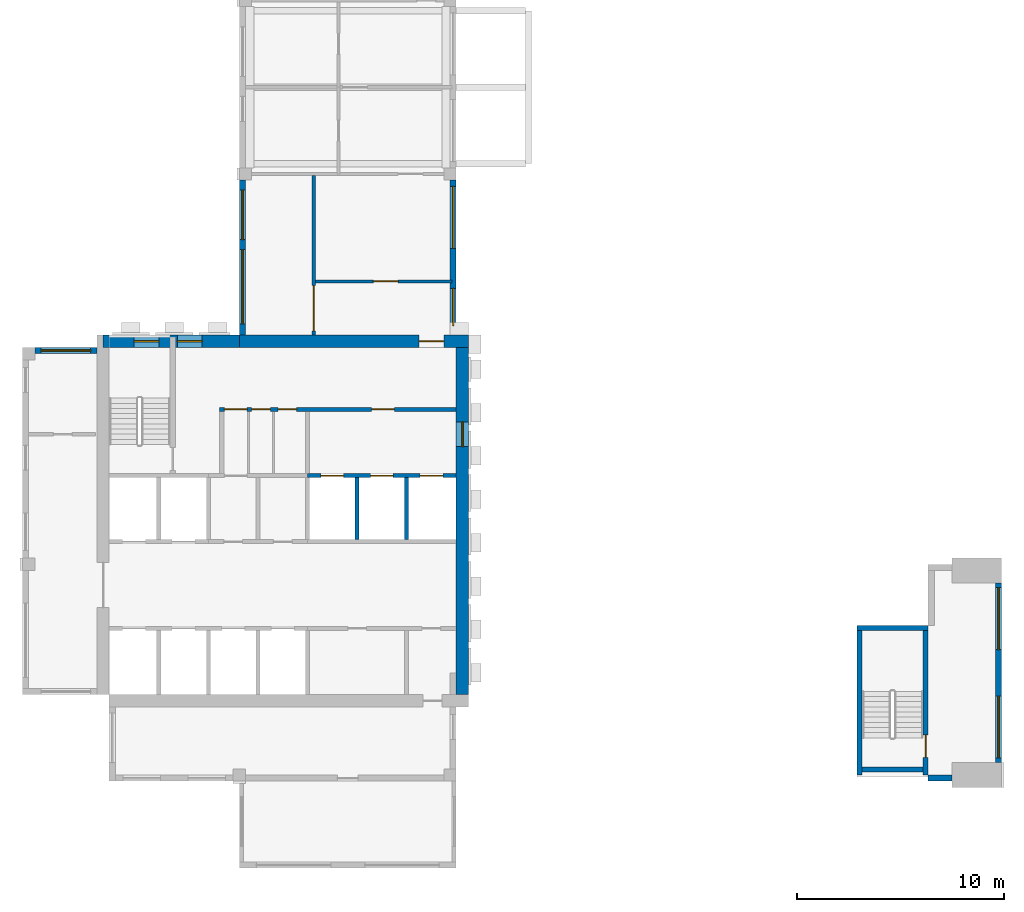
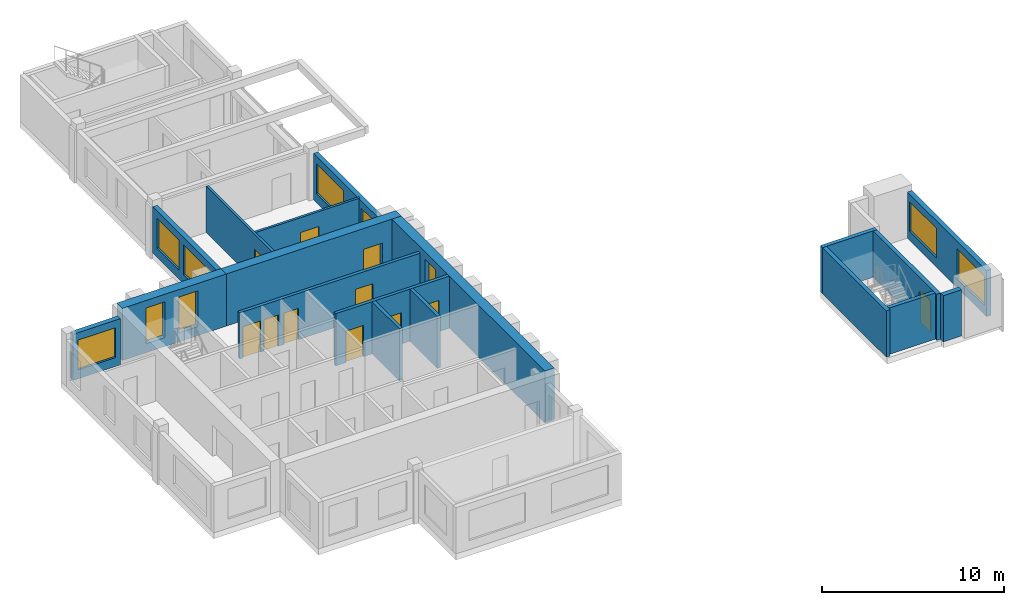
# One storey, part 3 of 7: 18 walls, 11 doors, 10 windows, 21 openings.
"""IFC4 building model written with IfcOpenShell, lengths in metres."""

from ifc_helpers import new_model, si_unit, direction, frame, frame_2d, origin, place, context, subcontext, project, spatial, rectangle, extrude, source, transform, mapped, material, layer, layer_set, type_object, element, fill, save


model = new_model("IFC4")

# Units and contexts
model_context = context("Model", 3, precision=1e-05, world=origin(), true_north=direction((0.0, 1.0)))
body_context = subcontext(model_context, "Body", "Model", "MODEL_VIEW")
ifc_project = project(units=[si_unit("LENGTHUNIT", "METRE"), si_unit("AREAUNIT", "SQUARE_METRE"), si_unit("VOLUMEUNIT", "CUBIC_METRE"), si_unit("PLANEANGLEUNIT", "RADIAN"), si_unit("MASSUNIT", "GRAM", prefix="KILO")], contexts=[model_context])

# Site, building, storey
site_placement = place(None, origin())
site = spatial("IfcSite", under=ifc_project, at=site_placement, CompositionType="ELEMENT")
building_placement = place(site_placement, origin())
building = spatial("IfcBuilding", under=site, at=building_placement, Name="Aurelian Terraces", CompositionType="ELEMENT")
storey_placement = place(building_placement, frame((0.0, 0.0, 337.0)))
storey = spatial("IfcBuildingStorey", under=building, at=storey_placement, Name="L79", CompositionType="ELEMENT", Elevation=337.0)

# Wall
ifc_material_1 = material(Name="Terracotta rainscreen cladding", Category="masonry")
ifc_layer_1 = layer(ifc_material_1, 0.3)
ifc_layer_set_1 = layer_set([ifc_layer_1], Name="EW-300")
wall_type_1 = type_object("IfcWallType", Name="EW-300", PredefinedType="STANDARD", material=ifc_layer_set_1)
wall_1_placement = place(storey_placement, frame((43.85, 0.15, 0.0), z_axis=(0.0, 0.0, 1.0), x_axis=(1.0, 0.0, 0.0)))
element("IfcWall", 1, at=wall_1_placement, inside=storey, type_object=wall_type_1, Name="External wall L79 F13.19", PredefinedType="STANDARD", context=body_context, shape_type="SweptSolid", body=[
    extrude(rectangle(XDim=1.15, YDim=0.3, at=frame_2d((0.575, 0.0))), origin(), (0.0, 0.0, 1.0), 3.1),
])

# Wall, opening, door
ifc_material_2 = material(Name="Concrete fc' 55 MPa", Category="concrete")
ifc_layer_2 = layer(ifc_material_2, 0.6)
ifc_layer_set_2 = layer_set([ifc_layer_2], Name="CORE WALL 600 FC55")
wall_type_2 = type_object("IfcWallType", Name="CORE WALL 600 FC55", PredefinedType="SHEAR", material=ifc_layer_set_2)
shared_shape_1 = source(origin(), body_context, "Body", "SweptSolid", [
    extrude(rectangle(XDim=11.1, YDim=0.6, at=frame_2d((5.55, 0.0))), origin(), (0.0, 0.0, 1.0), 3.5),
])
wall_2_placement = place(storey_placement, frame((10.5, 21.3, 0.0), z_axis=(0.0, 0.0, 1.0), x_axis=(1.0, 0.0, 0.0)))
wall_2 = element("IfcWall", 2, at=wall_2_placement, inside=storey, type_object=wall_type_2, Name="Core wall N L79", PredefinedType="SHEAR", context=body_context, shape_type="MappedRepresentation", body=[
    mapped(shared_shape_1, transform((0.0, 0.0, 0.0), scale=1.0)),
])
shared_shape_2 = source(origin(), body_context, "Body", "SweptSolid", [
    extrude(rectangle(XDim=1.2, YDim=2.1, at=frame_2d((0.6, 1.05))), frame((0.0, 0.31, 0.0), z_axis=(0.0, -1.0, 0.0), x_axis=(1.0, 0.0, 0.0)), (0.0, 0.0, 1.0), 0.62),
])
opening_1_placement = place(wall_2_placement, frame((8.7, 0.0, 0.0)))
opening_1 = element("IfcOpeningElement", 3, at=opening_1_placement, cuts=wall_2, Name="Opening 68224", PredefinedType="OPENING", context=body_context, shape_type="MappedRepresentation", body=[
    mapped(shared_shape_2, transform((0.0, 0.0, 0.0), scale=1.0)),
])
ifc_material_3 = material(Name="Steel door leaf", Category="steel")
door_type_1 = type_object("IfcDoorType", Name="Core fire door 1200x2100 right", OperationType="SINGLE_SWING_RIGHT", PredefinedType="DOOR", material=ifc_material_3)
shared_shape_3 = source(origin(), body_context, "Body", "SweptSolid", [
    extrude(rectangle(XDim=1.2, YDim=2.1, at=frame_2d((0.6, 1.05))), frame((0.0, 0.025, 0.0), z_axis=(0.0, -1.0, 0.0), x_axis=(1.0, 0.0, 0.0)), (0.0, 0.0, 1.0), 0.05),
])
door_1_placement = place(opening_1_placement, origin())
door_1 = element("IfcDoor", 4, at=door_1_placement, inside=storey, type_object=door_type_1, Name="Core door 68224", OperationType="SINGLE_SWING_RIGHT", OverallHeight=2.1, OverallWidth=1.2, PredefinedType="DOOR", context=body_context, shape_type="MappedRepresentation", body=[
    mapped(shared_shape_3, transform((0.0, 0.0, 0.0), scale=1.0)),
])
fill(opening_1, door_1)

# Wall, openings, windows
shared_shape_4 = source(origin(), body_context, "Body", "SweptSolid", [
    extrude(rectangle(XDim=6.6, YDim=0.6, at=frame_2d((3.3, 0.0))), origin(), (0.0, 0.0, 1.0), 3.5),
])
wall_3_placement = place(storey_placement, frame((3.9, 21.3, 0.0), z_axis=(0.0, 0.0, 1.0), x_axis=(1.0, 0.0, 0.0)))
wall_3 = element("IfcWall", 5, at=wall_3_placement, inside=storey, type_object=wall_type_2, Name="Core wall N L79 exposed", PredefinedType="SHEAR", context=body_context, shape_type="MappedRepresentation", body=[
    mapped(shared_shape_4, transform((0.0, 0.0, 0.0), scale=1.0)),
])
shared_shape_5 = source(origin(), body_context, "Body", "SweptSolid", [
    extrude(rectangle(XDim=1.2, YDim=2.4, at=frame_2d((0.6, 1.2))), frame((0.0, 0.31, 0.0), z_axis=(0.0, -1.0, 0.0), x_axis=(1.0, 0.0, 0.0)), (0.0, 0.0, 1.0), 0.62),
])
opening_2_placement = place(wall_3_placement, frame((1.5, 0.0, 0.6)))
opening_2 = element("IfcOpeningElement", 6, at=opening_2_placement, cuts=wall_3, Name="Opening W-CL", PredefinedType="OPENING", context=body_context, shape_type="MappedRepresentation", body=[
    mapped(shared_shape_5, transform((0.0, 0.0, 0.0), scale=1.0)),
])
opening_3_placement = place(wall_3_placement, frame((3.6, 0.0, 0.6)))
opening_3 = element("IfcOpeningElement", 7, at=opening_3_placement, cuts=wall_3, Name="Opening W-CL", PredefinedType="OPENING", context=body_context, shape_type="MappedRepresentation", body=[
    mapped(shared_shape_5, transform((0.0, 0.0, 0.0), scale=1.0)),
])
ifc_material_4 = material(Name="Fire-resisting glazing", Category="glass")
window_type_1 = type_object("IfcWindowType", Name="Core lobby window 1200x2400", PartitioningType="SINGLE_PANEL", PredefinedType="WINDOW", material=ifc_material_4)
shared_shape_6 = source(origin(), body_context, "Body", "SweptSolid", [
    extrude(rectangle(XDim=1.2, YDim=2.4, at=frame_2d((0.6, 1.2))), frame((0.0, 0.03, 0.0), z_axis=(0.0, -1.0, 0.0), x_axis=(1.0, 0.0, 0.0)), (0.0, 0.0, 1.0), 0.06),
])
window_1_placement = place(opening_2_placement, origin())
window_1 = element("IfcWindow", 8, at=window_1_placement, inside=storey, type_object=window_type_1, Name="Lobby window L79 N47", OverallHeight=2.4, OverallWidth=1.2, PartitioningType="SINGLE_PANEL", PredefinedType="WINDOW", context=body_context, shape_type="MappedRepresentation", body=[
    mapped(shared_shape_6, transform((0.0, 0.0, 0.0), scale=1.0)),
])
fill(opening_2, window_1)
window_2_placement = place(opening_3_placement, origin())
window_2 = element("IfcWindow", 9, at=window_2_placement, inside=storey, type_object=window_type_1, Name="Lobby window L79 N48", OverallHeight=2.4, OverallWidth=1.2, PartitioningType="SINGLE_PANEL", PredefinedType="WINDOW", context=body_context, shape_type="MappedRepresentation", body=[
    mapped(shared_shape_6, transform((0.0, 0.0, 0.0), scale=1.0)),
])
fill(opening_3, window_2)

# Wall, opening, window
shared_shape_7 = source(origin(), body_context, "Body", "SweptSolid", [
    extrude(rectangle(XDim=16.8, YDim=0.6, at=frame_2d((8.4, 0.0))), origin(), (0.0, 0.0, 1.0), 3.5),
])
wall_4_placement = place(storey_placement, frame((21.3, 4.2, 0.0), z_axis=(0.0, 0.0, 1.0), x_axis=(0.0, 1.0, 0.0)))
wall_4 = element("IfcWall", 10, at=wall_4_placement, inside=storey, type_object=wall_type_2, Name="Core wall E L79 exposed", PredefinedType="SHEAR", context=body_context, shape_type="MappedRepresentation", body=[
    mapped(shared_shape_7, transform((0.0, 0.0, 0.0), scale=1.0)),
])
opening_4_placement = place(wall_4_placement, frame((12.0, 0.0, 0.6)))
opening_4 = element("IfcOpeningElement", 11, at=opening_4_placement, cuts=wall_4, Name="Opening W-CL", PredefinedType="OPENING", context=body_context, shape_type="MappedRepresentation", body=[
    mapped(shared_shape_5, transform((0.0, 0.0, 0.0), scale=1.0)),
])
window_3_placement = place(opening_4_placement, origin())
window_3 = element("IfcWindow", 12, at=window_3_placement, inside=storey, type_object=window_type_1, Name="Lobby window L79 E46", OverallHeight=2.4, OverallWidth=1.2, PartitioningType="SINGLE_PANEL", PredefinedType="WINDOW", context=body_context, shape_type="MappedRepresentation", body=[
    mapped(shared_shape_6, transform((0.0, 0.0, 0.0), scale=1.0)),
])
fill(opening_4, window_3)

# Wall, openings, windows
shared_shape_8 = source(origin(), body_context, "Body", "SweptSolid", [
    extrude(rectangle(XDim=7.5, YDim=0.3, at=frame_2d((3.75, 0.0))), origin(), (0.0, 0.0, 1.0), 3.1),
])
wall_5_placement = place(storey_placement, frame((20.85, 21.6, 0.0), z_axis=(0.0, 0.0, 1.0), x_axis=(0.0, 1.0, 0.0)))
wall_5 = element("IfcWall", 13, at=wall_5_placement, inside=storey, type_object=wall_type_1, Name="External wall L79 F02.6", PredefinedType="STANDARD", context=body_context, shape_type="MappedRepresentation", body=[
    mapped(shared_shape_8, transform((0.0, 0.0, 0.0), scale=1.0)),
])
shared_shape_9 = source(origin(), body_context, "Body", "SweptSolid", [
    extrude(rectangle(XDim=1.8, YDim=2.0, at=frame_2d((0.9, 1.0))), frame((0.0, 0.16, 0.0), z_axis=(0.0, -1.0, 0.0), x_axis=(1.0, 0.0, 0.0)), (0.0, 0.0, 1.0), 0.32),
])
opening_5_placement = place(wall_5_placement, frame((0.4625, 0.0, 0.6)))
opening_5 = element("IfcOpeningElement", 14, at=opening_5_placement, cuts=wall_5, Name="Opening W1820", PredefinedType="OPENING", context=body_context, shape_type="MappedRepresentation", body=[
    mapped(shared_shape_9, transform((0.0, 0.0, 0.0), scale=1.0)),
])
shared_shape_10 = source(origin(), body_context, "Body", "SweptSolid", [
    extrude(rectangle(XDim=3.0, YDim=2.0, at=frame_2d((1.5, 1.0))), frame((0.0, 0.16, 0.0), z_axis=(0.0, -1.0, 0.0), x_axis=(1.0, 0.0, 0.0)), (0.0, 0.0, 1.0), 0.32),
])
opening_6_placement = place(wall_5_placement, frame((4.2, 0.0, 0.6)))
opening_6 = element("IfcOpeningElement", 15, at=opening_6_placement, cuts=wall_5, Name="Opening W3020", PredefinedType="OPENING", context=body_context, shape_type="MappedRepresentation", body=[
    mapped(shared_shape_10, transform((0.0, 0.0, 0.0), scale=1.0)),
])
ifc_material_5 = material(Name="Clear glazing", Category="glass")
window_type_2 = type_object("IfcWindowType", Name="W-3000x2000", PartitioningType="SINGLE_PANEL", PredefinedType="WINDOW", material=ifc_material_5)
shared_shape_11 = source(origin(), body_context, "Body", "SweptSolid", [
    extrude(rectangle(XDim=3.0, YDim=2.0, at=frame_2d((1.5, 1.0))), frame((0.0, 0.03, 0.0), z_axis=(0.0, -1.0, 0.0), x_axis=(1.0, 0.0, 0.0)), (0.0, 0.0, 1.0), 0.06),
])
window_4_placement = place(opening_6_placement, origin())
window_4 = element("IfcWindow", 16, at=window_4_placement, inside=storey, type_object=window_type_2, Name="Window L79 L79-F02-06-1", OverallHeight=2.0, OverallWidth=3.0, PartitioningType="SINGLE_PANEL", PredefinedType="WINDOW", context=body_context, shape_type="MappedRepresentation", body=[
    mapped(shared_shape_11, transform((0.0, 0.0, 0.0), scale=1.0)),
])
fill(opening_6, window_4)
window_type_3 = type_object("IfcWindowType", Name="W-1800x2000", PartitioningType="SINGLE_PANEL", PredefinedType="WINDOW", material=ifc_material_5)
shared_shape_12 = source(origin(), body_context, "Body", "SweptSolid", [
    extrude(rectangle(XDim=1.8, YDim=2.0, at=frame_2d((0.9, 1.0))), frame((0.0, 0.03, 0.0), z_axis=(0.0, -1.0, 0.0), x_axis=(1.0, 0.0, 0.0)), (0.0, 0.0, 1.0), 0.06),
])
window_5_placement = place(opening_5_placement, origin())
window_5 = element("IfcWindow", 17, at=window_5_placement, inside=storey, type_object=window_type_3, Name="Window L79 L79-F02-06-0", OverallHeight=2.0, OverallWidth=1.8, PartitioningType="SINGLE_PANEL", PredefinedType="WINDOW", context=body_context, shape_type="MappedRepresentation", body=[
    mapped(shared_shape_12, transform((0.0, 0.0, 0.0), scale=1.0)),
])
fill(opening_5, window_5)

wall_6_placement = place(storey_placement, frame((10.65, 29.1, 0.0), z_axis=(0.0, 0.0, 1.0), x_axis=(0.0, -1.0, 0.0)))
wall_6 = element("IfcWall", 18, at=wall_6_placement, inside=storey, type_object=wall_type_1, Name="External wall L79 F04.10", PredefinedType="STANDARD", context=body_context, shape_type="MappedRepresentation", body=[
    mapped(shared_shape_8, transform((0.0, 0.0, 0.0), scale=1.0)),
])
shared_shape_13 = source(origin(), body_context, "Body", "SweptSolid", [
    extrude(rectangle(XDim=3.6, YDim=2.0, at=frame_2d((1.8, 1.0))), frame((0.0, 0.16, 0.0), z_axis=(0.0, -1.0, 0.0), x_axis=(1.0, 0.0, 0.0)), (0.0, 0.0, 1.0), 0.32),
])
opening_7_placement = place(wall_6_placement, frame((3.36, 0.0, 0.6)))
opening_7 = element("IfcOpeningElement", 19, at=opening_7_placement, cuts=wall_6, Name="Opening W3620", PredefinedType="OPENING", context=body_context, shape_type="MappedRepresentation", body=[
    mapped(shared_shape_13, transform((0.0, 0.0, 0.0), scale=1.0)),
])
shared_shape_14 = source(origin(), body_context, "Body", "SweptSolid", [
    extrude(rectangle(XDim=2.4, YDim=2.0, at=frame_2d((1.2, 1.0))), frame((0.0, 0.16, 0.0), z_axis=(0.0, -1.0, 0.0), x_axis=(1.0, 0.0, 0.0)), (0.0, 0.0, 1.0), 0.32),
])
opening_8_placement = place(wall_6_placement, frame((0.48, 0.0, 0.6)))
opening_8 = element("IfcOpeningElement", 20, at=opening_8_placement, cuts=wall_6, Name="Opening W2420", PredefinedType="OPENING", context=body_context, shape_type="MappedRepresentation", body=[
    mapped(shared_shape_14, transform((0.0, 0.0, 0.0), scale=1.0)),
])
window_type_4 = type_object("IfcWindowType", Name="W-2400x2000", PartitioningType="SINGLE_PANEL", PredefinedType="WINDOW", material=ifc_material_5)
shared_shape_15 = source(origin(), body_context, "Body", "SweptSolid", [
    extrude(rectangle(XDim=2.4, YDim=2.0, at=frame_2d((1.2, 1.0))), frame((0.0, 0.03, 0.0), z_axis=(0.0, -1.0, 0.0), x_axis=(1.0, 0.0, 0.0)), (0.0, 0.0, 1.0), 0.06),
])
window_6_placement = place(opening_8_placement, origin())
window_6 = element("IfcWindow", 21, at=window_6_placement, inside=storey, type_object=window_type_4, Name="Window L79 L79-F04-10-G2-146", OverallHeight=2.0, OverallWidth=2.4, PartitioningType="SINGLE_PANEL", PredefinedType="WINDOW", context=body_context, shape_type="MappedRepresentation", body=[
    mapped(shared_shape_15, transform((0.0, 0.0, 0.0), scale=1.0)),
])
fill(opening_8, window_6)
window_type_5 = type_object("IfcWindowType", Name="W-3600x2000", PartitioningType="SINGLE_PANEL", PredefinedType="WINDOW", material=ifc_material_5)
shared_shape_16 = source(origin(), body_context, "Body", "SweptSolid", [
    extrude(rectangle(XDim=3.6, YDim=2.0, at=frame_2d((1.8, 1.0))), frame((0.0, 0.03, 0.0), z_axis=(0.0, -1.0, 0.0), x_axis=(1.0, 0.0, 0.0)), (0.0, 0.0, 1.0), 0.06),
])
window_7_placement = place(opening_7_placement, origin())
window_7 = element("IfcWindow", 22, at=window_7_placement, inside=storey, type_object=window_type_5, Name="Window L79 L79-F04-10-4", OverallHeight=2.0, OverallWidth=3.6, PartitioningType="SINGLE_PANEL", PredefinedType="WINDOW", context=body_context, shape_type="MappedRepresentation", body=[
    mapped(shared_shape_16, transform((0.0, 0.0, 0.0), scale=1.0)),
])
fill(opening_7, window_7)

# Wall, opening, window
shared_shape_17 = source(origin(), body_context, "Body", "SweptSolid", [
    extrude(rectangle(XDim=3.0, YDim=0.3, at=frame_2d((1.5, 0.0))), origin(), (0.0, 0.0, 1.0), 3.1),
])
wall_7_placement = place(storey_placement, frame((3.6, 20.85, 0.0), z_axis=(0.0, 0.0, 1.0), x_axis=(-1.0, 0.0, 0.0)))
wall_7 = element("IfcWall", 23, at=wall_7_placement, inside=storey, type_object=wall_type_1, Name="External wall L79 F09.15", PredefinedType="STANDARD", context=body_context, shape_type="MappedRepresentation", body=[
    mapped(shared_shape_17, transform((0.0, 0.0, 0.0), scale=1.0)),
])
opening_9_placement = place(wall_7_placement, frame((0.3, 0.0, 0.6)))
opening_9 = element("IfcOpeningElement", 24, at=opening_9_placement, cuts=wall_7, Name="Opening W2420", PredefinedType="OPENING", context=body_context, shape_type="MappedRepresentation", body=[
    mapped(shared_shape_14, transform((0.0, 0.0, 0.0), scale=1.0)),
])
window_8_placement = place(opening_9_placement, origin())
window_8 = element("IfcWindow", 25, at=window_8_placement, inside=storey, type_object=window_type_4, Name="Window L79 L79-F09-15-0", OverallHeight=2.0, OverallWidth=2.4, PartitioningType="SINGLE_PANEL", PredefinedType="WINDOW", context=body_context, shape_type="MappedRepresentation", body=[
    mapped(shared_shape_15, transform((0.0, 0.0, 0.0), scale=1.0)),
])
fill(opening_9, window_8)

# Wall, openings, windows
shared_shape_18 = source(origin(), body_context, "Body", "SweptSolid", [
    extrude(rectangle(XDim=8.7, YDim=0.3, at=frame_2d((4.35, 0.0))), origin(), (0.0, 0.0, 1.0), 3.1),
])
wall_8_placement = place(storey_placement, frame((47.25, 0.9, 0.0), z_axis=(0.0, 0.0, 1.0), x_axis=(0.0, 1.0, 0.0)))
wall_8 = element("IfcWall", 26, at=wall_8_placement, inside=storey, type_object=wall_type_1, Name="External wall L79 F14.21", PredefinedType="STANDARD", context=body_context, shape_type="MappedRepresentation", body=[
    mapped(shared_shape_18, transform((0.0, 0.0, 0.0), scale=1.0)),
])
opening_10_placement = place(wall_8_placement, frame((0.225, 0.0, 0.6)))
opening_10 = element("IfcOpeningElement", 27, at=opening_10_placement, cuts=wall_8, Name="Opening W3020", PredefinedType="OPENING", context=body_context, shape_type="MappedRepresentation", body=[
    mapped(shared_shape_10, transform((0.0, 0.0, 0.0), scale=1.0)),
])
opening_11_placement = place(wall_8_placement, frame((5.475, 0.0, 0.6)))
opening_11 = element("IfcOpeningElement", 28, at=opening_11_placement, cuts=wall_8, Name="Opening W3020", PredefinedType="OPENING", context=body_context, shape_type="MappedRepresentation", body=[
    mapped(shared_shape_10, transform((0.0, 0.0, 0.0), scale=1.0)),
])
window_9_placement = place(opening_10_placement, origin())
window_9 = element("IfcWindow", 29, at=window_9_placement, inside=storey, type_object=window_type_2, Name="Window L79 L79-F14-21-0", OverallHeight=2.0, OverallWidth=3.0, PartitioningType="SINGLE_PANEL", PredefinedType="WINDOW", context=body_context, shape_type="MappedRepresentation", body=[
    mapped(shared_shape_11, transform((0.0, 0.0, 0.0), scale=1.0)),
])
fill(opening_10, window_9)
window_10_placement = place(opening_11_placement, origin())
window_10 = element("IfcWindow", 30, at=window_10_placement, inside=storey, type_object=window_type_2, Name="Window L79 L79-F14-21-1", OverallHeight=2.0, OverallWidth=3.0, PartitioningType="SINGLE_PANEL", PredefinedType="WINDOW", context=body_context, shape_type="MappedRepresentation", body=[
    mapped(shared_shape_11, transform((0.0, 0.0, 0.0), scale=1.0)),
])
fill(opening_11, window_10)

# Walls
ifc_material_6 = material(Name="Concrete fc' 40 MPa", Category="concrete")
ifc_layer_3 = layer(ifc_material_6, 0.2)
ifc_layer_set_3 = layer_set([ifc_layer_3], Name="Lift shaft wall 200")
wall_type_3 = type_object("IfcWallType", Name="Lift shaft wall 200", PredefinedType="SOLIDWALL", material=ifc_layer_set_3)
shared_shape_19 = source(origin(), body_context, "Body", "SweptSolid", [
    extrude(rectangle(XDim=3.0, YDim=0.2, at=frame_2d((1.5, 0.0))), origin(), (0.0, 0.0, 1.0), 3.5),
])
for number, where, z_axis, x_axis, name in (
    (31, (16.2, 11.7, 0.0), (0.0, 0.0, 1.0), (0.0, 1.0, 0.0), "L79 core wall CD-B5"),
    (32, (18.6, 11.7, 0.0), (0.0, 0.0, 1.0), (0.0, 1.0, 0.0), "L79 core wall CD-B6"),
):
    element("IfcWall", number, at=place(storey_placement, frame(where, z_axis=z_axis, x_axis=x_axis)), inside=storey, type_object=wall_type_3, Name=name, PredefinedType="SOLIDWALL", context=body_context, shape_type="MappedRepresentation", body=[
        mapped(shared_shape_19, transform((0.0, 0.0, 0.0), scale=1.0)),
    ])

# Wall, openings, doors
shared_shape_20 = source(origin(), body_context, "Body", "SweptSolid", [
    extrude(rectangle(XDim=7.2, YDim=0.2, at=frame_2d((3.6, 0.0))), origin(), (0.0, 0.0, 1.0), 3.5),
])
wall_9_placement = place(storey_placement, frame((13.8, 14.8, 0.0), z_axis=(0.0, 0.0, 1.0), x_axis=(1.0, 0.0, 0.0)))
wall_9 = element("IfcWall", 33, at=wall_9_placement, inside=storey, type_object=wall_type_3, Name="L79 core wall CF-BB3", PredefinedType="SOLIDWALL", context=body_context, shape_type="MappedRepresentation", body=[
    mapped(shared_shape_20, transform((0.0, 0.0, 0.0), scale=1.0)),
])
shared_shape_21 = source(origin(), body_context, "Body", "SweptSolid", [
    extrude(rectangle(XDim=1.1, YDim=2.1, at=frame_2d((0.55, 1.05))), frame((0.0, 0.11, 0.0), z_axis=(0.0, -1.0, 0.0), x_axis=(1.0, 0.0, 0.0)), (0.0, 0.0, 1.0), 0.22),
])
opening_12_placement = place(wall_9_placement, frame((0.65, 0.0, 0.0)))
opening_12 = element("IfcOpeningElement", 34, at=opening_12_placement, cuts=wall_9, Name="Opening 68211", PredefinedType="OPENING", context=body_context, shape_type="MappedRepresentation", body=[
    mapped(shared_shape_21, transform((0.0, 0.0, 0.0), scale=1.0)),
])
opening_13_placement = place(wall_9_placement, frame((3.05, 0.0, 0.0)))
opening_13 = element("IfcOpeningElement", 35, at=opening_13_placement, cuts=wall_9, Name="Opening 68212", PredefinedType="OPENING", context=body_context, shape_type="MappedRepresentation", body=[
    mapped(shared_shape_21, transform((0.0, 0.0, 0.0), scale=1.0)),
])
opening_14_placement = place(wall_9_placement, frame((5.45, 0.0, 0.0)))
opening_14 = element("IfcOpeningElement", 36, at=opening_14_placement, cuts=wall_9, Name="Opening 68213", PredefinedType="OPENING", context=body_context, shape_type="MappedRepresentation", body=[
    mapped(shared_shape_21, transform((0.0, 0.0, 0.0), scale=1.0)),
])
ifc_material_7 = material(Name="Stainless steel", Category="steel")
door_type_2 = type_object("IfcDoorType", Name="Lift landing door 1100x2100", OperationType="SLIDING_TO_LEFT", PredefinedType="DOOR", material=ifc_material_7)
shared_shape_22 = source(origin(), body_context, "Body", "SweptSolid", [
    extrude(rectangle(XDim=1.1, YDim=2.1, at=frame_2d((0.55, 1.05))), frame((0.0, 0.025, 0.0), z_axis=(0.0, -1.0, 0.0), x_axis=(1.0, 0.0, 0.0)), (0.0, 0.0, 1.0), 0.05),
])
door_2_placement = place(opening_12_placement, origin())
door_2 = element("IfcDoor", 37, at=door_2_placement, inside=storey, type_object=door_type_2, Name="Lift landing door F1 L79", OperationType="SLIDING_TO_LEFT", OverallHeight=2.1, OverallWidth=1.1, PredefinedType="DOOR", context=body_context, shape_type="MappedRepresentation", body=[
    mapped(shared_shape_22, transform((0.0, 0.0, 0.0), scale=1.0)),
])
fill(opening_12, door_2)
door_3_placement = place(opening_13_placement, origin())
door_3 = element("IfcDoor", 38, at=door_3_placement, inside=storey, type_object=door_type_2, Name="Lift landing door F2 L79", OperationType="SLIDING_TO_LEFT", OverallHeight=2.1, OverallWidth=1.1, PredefinedType="DOOR", context=body_context, shape_type="MappedRepresentation", body=[
    mapped(shared_shape_22, transform((0.0, 0.0, 0.0), scale=1.0)),
])
fill(opening_13, door_3)
door_4_placement = place(opening_14_placement, origin())
door_4 = element("IfcDoor", 39, at=door_4_placement, inside=storey, type_object=door_type_2, Name="Lift landing door F3 L79", OperationType="SLIDING_TO_LEFT", OverallHeight=2.1, OverallWidth=1.1, PredefinedType="DOOR", context=body_context, shape_type="MappedRepresentation", body=[
    mapped(shared_shape_22, transform((0.0, 0.0, 0.0), scale=1.0)),
])
fill(opening_14, door_4)

# Wall
ifc_layer_4 = layer(ifc_material_6, 0.25)
ifc_layer_set_4 = layer_set([ifc_layer_4], Name="Stair enclosure wall 250")
wall_type_4 = type_object("IfcWallType", Name="Stair enclosure wall 250", PredefinedType="SOLIDWALL", material=ifc_layer_set_4)
shared_shape_23 = source(origin(), body_context, "Body", "SweptSolid", [
    extrude(rectangle(XDim=7.0, YDim=0.25, at=frame_2d((3.5, 0.0))), origin(), (0.0, 0.0, 1.0), 3.1),
])
wall_10_placement = place(storey_placement, frame((40.525, 0.3, 0.0), z_axis=(0.0, 0.0, 1.0), x_axis=(0.0, 1.0, 0.0)))
element("IfcWall", 40, at=wall_10_placement, inside=storey, type_object=wall_type_4, Name="L79 core wall ST-S2-W", PredefinedType="SOLIDWALL", context=body_context, shape_type="MappedRepresentation", body=[
    mapped(shared_shape_23, transform((0.0, 0.0, 0.0), scale=1.0)),
])

# Wall, opening, door
wall_11_placement = place(storey_placement, frame((43.725, 0.3, 0.0), z_axis=(0.0, 0.0, 1.0), x_axis=(0.0, 1.0, 0.0)))
wall_11 = element("IfcWall", 41, at=wall_11_placement, inside=storey, type_object=wall_type_4, Name="L79 core wall ST-S2-E", PredefinedType="SOLIDWALL", context=body_context, shape_type="MappedRepresentation", body=[
    mapped(shared_shape_23, transform((0.0, 0.0, 0.0), scale=1.0)),
])
shared_shape_24 = source(origin(), body_context, "Body", "SweptSolid", [
    extrude(rectangle(XDim=1.1, YDim=2.1, at=frame_2d((0.55, 1.05))), frame((0.0, 0.135, 0.0), z_axis=(0.0, -1.0, 0.0), x_axis=(1.0, 0.0, 0.0)), (0.0, 0.0, 1.0), 0.27),
])
opening_15_placement = place(wall_11_placement, frame((0.85, 0.0, 0.0)))
opening_15 = element("IfcOpeningElement", 42, at=opening_15_placement, cuts=wall_11, Name="Opening 68219", PredefinedType="OPENING", context=body_context, shape_type="MappedRepresentation", body=[
    mapped(shared_shape_24, transform((0.0, 0.0, 0.0), scale=1.0)),
])
door_type_3 = type_object("IfcDoorType", Name="Core fire door 1100x2100 right", OperationType="SINGLE_SWING_RIGHT", PredefinedType="DOOR", material=ifc_material_3)
door_5_placement = place(opening_15_placement, origin())
door_5 = element("IfcDoor", 43, at=door_5_placement, inside=storey, type_object=door_type_3, Name="Room door 68219", OperationType="SINGLE_SWING_RIGHT", OverallHeight=2.1, OverallWidth=1.1, PredefinedType="DOOR", context=body_context, shape_type="MappedRepresentation", body=[
    mapped(shared_shape_22, transform((0.0, 0.0, 0.0), scale=1.0)),
])
fill(opening_15, door_5)

# Wall
shared_shape_25 = source(origin(), body_context, "Body", "SweptSolid", [
    extrude(rectangle(XDim=3.45, YDim=0.25, at=frame_2d((1.725, 0.0))), origin(), (0.0, 0.0, 1.0), 3.1),
])
wall_12_placement = place(storey_placement, frame((40.4, 7.425, 0.0), z_axis=(0.0, 0.0, 1.0), x_axis=(1.0, 0.0, 0.0)))
element("IfcWall", 44, at=wall_12_placement, inside=storey, type_object=wall_type_4, Name="L79 core wall ST-S2-N", PredefinedType="SOLIDWALL", context=body_context, shape_type="MappedRepresentation", body=[
    mapped(shared_shape_25, transform((0.0, 0.0, 0.0), scale=1.0)),
])

# Wall, openings, doors
ifc_material_8 = material(Name="Gypsum board on steel studs", Category="steel")
ifc_layer_5 = layer(ifc_material_8, 0.2)
ifc_layer_set_5 = layer_set([ifc_layer_5], Name="Core partition 200")
wall_type_5 = type_object("IfcWallType", Name="Core partition 200", PredefinedType="PARTITIONING", material=ifc_layer_set_5)
shared_shape_26 = source(origin(), body_context, "Body", "SweptSolid", [
    extrude(rectangle(XDim=11.45, YDim=0.2, at=frame_2d((5.725, 0.0))), origin(), (0.0, 0.0, 1.0), 3.1),
])
wall_13_placement = place(storey_placement, frame((9.55, 18.0, 0.0), z_axis=(0.0, 0.0, 1.0), x_axis=(1.0, 0.0, 0.0)))
wall_13 = element("IfcWall", 45, at=wall_13_placement, inside=storey, type_object=wall_type_5, Name="L79 core wall CP-NORTH", PredefinedType="PARTITIONING", context=body_context, shape_type="MappedRepresentation", body=[
    mapped(shared_shape_26, transform((0.0, 0.0, 0.0), scale=1.0)),
])
opening_16_placement = place(wall_13_placement, frame((0.225, 0.0, 0.0)))
opening_16 = element("IfcOpeningElement", 46, at=opening_16_placement, cuts=wall_13, Name="Opening 68215", PredefinedType="OPENING", context=body_context, shape_type="MappedRepresentation", body=[
    mapped(shared_shape_21, transform((0.0, 0.0, 0.0), scale=1.0)),
])
shared_shape_27 = source(origin(), body_context, "Body", "SweptSolid", [
    extrude(rectangle(XDim=0.9, YDim=2.1, at=frame_2d((0.45, 1.05))), frame((0.0, 0.11, 0.0), z_axis=(0.0, -1.0, 0.0), x_axis=(1.0, 0.0, 0.0)), (0.0, 0.0, 1.0), 0.22),
])
opening_17_placement = place(wall_13_placement, frame((1.55, 0.0, 0.0)))
opening_17 = element("IfcOpeningElement", 47, at=opening_17_placement, cuts=wall_13, Name="Opening 68216", PredefinedType="OPENING", context=body_context, shape_type="MappedRepresentation", body=[
    mapped(shared_shape_27, transform((0.0, 0.0, 0.0), scale=1.0)),
])
opening_18_placement = place(wall_13_placement, frame((2.825, 0.0, 0.0)))
opening_18 = element("IfcOpeningElement", 48, at=opening_18_placement, cuts=wall_13, Name="Opening 68217", PredefinedType="OPENING", context=body_context, shape_type="MappedRepresentation", body=[
    mapped(shared_shape_27, transform((0.0, 0.0, 0.0), scale=1.0)),
])
opening_19_placement = place(wall_13_placement, frame((7.35, 0.0, 0.0)))
opening_19 = element("IfcOpeningElement", 49, at=opening_19_placement, cuts=wall_13, Name="Opening 68218", PredefinedType="OPENING", context=body_context, shape_type="MappedRepresentation", body=[
    mapped(shared_shape_21, transform((0.0, 0.0, 0.0), scale=1.0)),
])
door_type_4 = type_object("IfcDoorType", Name="Core riser door 900x2100", OperationType="SINGLE_SWING_LEFT", PredefinedType="DOOR", material=ifc_material_3)
shared_shape_28 = source(origin(), body_context, "Body", "SweptSolid", [
    extrude(rectangle(XDim=0.9, YDim=2.1, at=frame_2d((0.45, 1.05))), frame((0.0, 0.025, 0.0), z_axis=(0.0, -1.0, 0.0), x_axis=(1.0, 0.0, 0.0)), (0.0, 0.0, 1.0), 0.05),
])
door_6_placement = place(opening_17_placement, origin())
door_6 = element("IfcDoor", 50, at=door_6_placement, inside=storey, type_object=door_type_4, Name="Room door 68216", OperationType="SINGLE_SWING_LEFT", OverallHeight=2.1, OverallWidth=0.9, PredefinedType="DOOR", context=body_context, shape_type="MappedRepresentation", body=[
    mapped(shared_shape_28, transform((0.0, 0.0, 0.0), scale=1.0)),
])
fill(opening_17, door_6)
door_type_5 = type_object("IfcDoorType", Name="Core service door 900x2100 right", OperationType="SINGLE_SWING_RIGHT", PredefinedType="DOOR", material=ifc_material_3)
door_7_placement = place(opening_18_placement, origin())
door_7 = element("IfcDoor", 51, at=door_7_placement, inside=storey, type_object=door_type_5, Name="Room door 68217", OperationType="SINGLE_SWING_RIGHT", OverallHeight=2.1, OverallWidth=0.9, PredefinedType="DOOR", context=body_context, shape_type="MappedRepresentation", body=[
    mapped(shared_shape_28, transform((0.0, 0.0, 0.0), scale=1.0)),
])
fill(opening_18, door_7)
door_type_6 = type_object("IfcDoorType", Name="Core service door 1100x2100 right", OperationType="SINGLE_SWING_RIGHT", PredefinedType="DOOR", material=ifc_material_3)
door_8_placement = place(opening_16_placement, origin())
door_8 = element("IfcDoor", 52, at=door_8_placement, inside=storey, type_object=door_type_6, Name="Room door 68215", OperationType="SINGLE_SWING_RIGHT", OverallHeight=2.1, OverallWidth=1.1, PredefinedType="DOOR", context=body_context, shape_type="MappedRepresentation", body=[
    mapped(shared_shape_22, transform((0.0, 0.0, 0.0), scale=1.0)),
])
fill(opening_16, door_8)
door_type_7 = type_object("IfcDoorType", Name="Core fire door 1100x2100", OperationType="SINGLE_SWING_LEFT", PredefinedType="DOOR", material=ifc_material_3)
door_9_placement = place(opening_19_placement, origin())
door_9 = element("IfcDoor", 53, at=door_9_placement, inside=storey, type_object=door_type_7, Name="Ff lobby door 68218", OperationType="SINGLE_SWING_LEFT", OverallHeight=2.1, OverallWidth=1.1, PredefinedType="DOOR", context=body_context, shape_type="MappedRepresentation", body=[
    mapped(shared_shape_22, transform((0.0, 0.0, 0.0), scale=1.0)),
])
fill(opening_19, door_9)

# Wall
shared_shape_29 = source(origin(), body_context, "Body", "SweptSolid", [
    extrude(rectangle(XDim=2.95, YDim=0.25, at=frame_2d((1.475, 0.0))), origin(), (0.0, 0.0, 1.0), 3.1),
])
wall_14_placement = place(storey_placement, frame((40.65, 0.575, 0.0), z_axis=(0.0, 0.0, 1.0), x_axis=(1.0, 0.0, 0.0)))
element("IfcWall", 54, at=wall_14_placement, inside=storey, type_object=wall_type_4, Name="L79 core wall ST-S2-SS", PredefinedType="SOLIDWALL", context=body_context, shape_type="MappedRepresentation", body=[
    mapped(shared_shape_29, transform((0.0, 0.0, 0.0), scale=1.0)),
])

# Wall, opening, door
ifc_layer_6 = layer(ifc_material_8, 0.15)
ifc_layer_set_6 = layer_set([ifc_layer_6], Name="Partition 150")
wall_type_6 = type_object("IfcWallType", Name="Partition 150", PredefinedType="PARTITIONING", material=ifc_layer_set_6)
shared_shape_30 = source(origin(), body_context, "Body", "SweptSolid", [
    extrude(rectangle(XDim=7.725, YDim=0.15, at=frame_2d((3.8625, 0.0))), origin(), (0.0, 0.0, 1.0), 3.1),
])
wall_15_placement = place(storey_placement, frame((14.1, 29.325, 0.0), z_axis=(0.0, 0.0, 1.0), x_axis=(0.0, -1.0, 0.0)))
wall_15 = element("IfcWall", 55, at=wall_15_placement, inside=storey, type_object=wall_type_6, Name="Partition", PredefinedType="PARTITIONING", context=body_context, shape_type="MappedRepresentation", body=[
    mapped(shared_shape_30, transform((0.0, 0.0, 0.0), scale=1.0)),
])
shared_shape_31 = source(origin(), body_context, "Body", "SweptSolid", [
    extrude(rectangle(XDim=2.2, YDim=2.1, at=frame_2d((1.1, 1.05))), frame((0.0, 0.085, 0.0), z_axis=(0.0, -1.0, 0.0), x_axis=(1.0, 0.0, 0.0)), (0.0, 0.0, 1.0), 0.17),
])
opening_20_placement = place(wall_15_placement, frame((5.325, 0.0, 0.0)))
opening_20 = element("IfcOpeningElement", 56, at=opening_20_placement, cuts=wall_15, Name="Opening 779002", PredefinedType="OPENING", context=body_context, shape_type="MappedRepresentation", body=[
    mapped(shared_shape_31, transform((0.0, 0.0, 0.0), scale=1.0)),
])
ifc_material_9 = material(Name="Timber door leaf", Category="wood")
door_type_8 = type_object("IfcDoorType", Name="Double room door 2200x2100", OperationType="DOUBLE_DOOR_SINGLE_SWING", PredefinedType="DOOR", material=ifc_material_9)
shared_shape_32 = source(origin(), body_context, "Body", "SweptSolid", [
    extrude(rectangle(XDim=2.2, YDim=2.1, at=frame_2d((1.1, 1.05))), frame((0.0, 0.025, 0.0), z_axis=(0.0, -1.0, 0.0), x_axis=(1.0, 0.0, 0.0)), (0.0, 0.0, 1.0), 0.05),
])
door_10_placement = place(opening_20_placement, origin())
door_10 = element("IfcDoor", 57, at=door_10_placement, inside=storey, type_object=door_type_8, Name="Door 779002", OperationType="DOUBLE_DOOR_SINGLE_SWING", OverallHeight=2.1, OverallWidth=2.2, PredefinedType="DOOR", context=body_context, shape_type="MappedRepresentation", body=[
    mapped(shared_shape_32, transform((0.0, 0.0, 0.0), scale=1.0)),
])
fill(opening_20, door_10)

shared_shape_33 = source(origin(), body_context, "Body", "SweptSolid", [
    extrude(rectangle(XDim=6.62, YDim=0.15, at=frame_2d((3.31, 0.0))), origin(), (0.0, 0.0, 1.0), 3.1),
])
wall_16_placement = place(storey_placement, frame((14.175, 24.2, 0.0), z_axis=(0.0, 0.0, 1.0), x_axis=(1.0, 0.0, 0.0)))
wall_16 = element("IfcWall", 58, at=wall_16_placement, inside=storey, type_object=wall_type_6, Name="Partition", PredefinedType="PARTITIONING", context=body_context, shape_type="MappedRepresentation", body=[
    mapped(shared_shape_33, transform((0.0, 0.0, 0.0), scale=1.0)),
])
shared_shape_34 = source(origin(), body_context, "Body", "SweptSolid", [
    extrude(rectangle(XDim=1.2, YDim=2.1, at=frame_2d((0.6, 1.05))), frame((0.0, 0.085, 0.0), z_axis=(0.0, -1.0, 0.0), x_axis=(1.0, 0.0, 0.0)), (0.0, 0.0, 1.0), 0.17),
])
opening_21_placement = place(wall_16_placement, frame((2.8125, 0.0, 0.0)))
opening_21 = element("IfcOpeningElement", 59, at=opening_21_placement, cuts=wall_16, Name="Opening 779007", PredefinedType="OPENING", context=body_context, shape_type="MappedRepresentation", body=[
    mapped(shared_shape_34, transform((0.0, 0.0, 0.0), scale=1.0)),
])
door_type_9 = type_object("IfcDoorType", Name="Room door 1200x2100 right", OperationType="SINGLE_SWING_RIGHT", PredefinedType="DOOR", material=ifc_material_9)
door_11_placement = place(opening_21_placement, origin())
door_11 = element("IfcDoor", 60, at=door_11_placement, inside=storey, type_object=door_type_9, Name="Door 779007", OperationType="SINGLE_SWING_RIGHT", OverallHeight=2.1, OverallWidth=1.2, PredefinedType="DOOR", context=body_context, shape_type="MappedRepresentation", body=[
    mapped(shared_shape_3, transform((0.0, 0.0, 0.0), scale=1.0)),
])
fill(opening_21, door_11)

save(model, "model.ifc")
